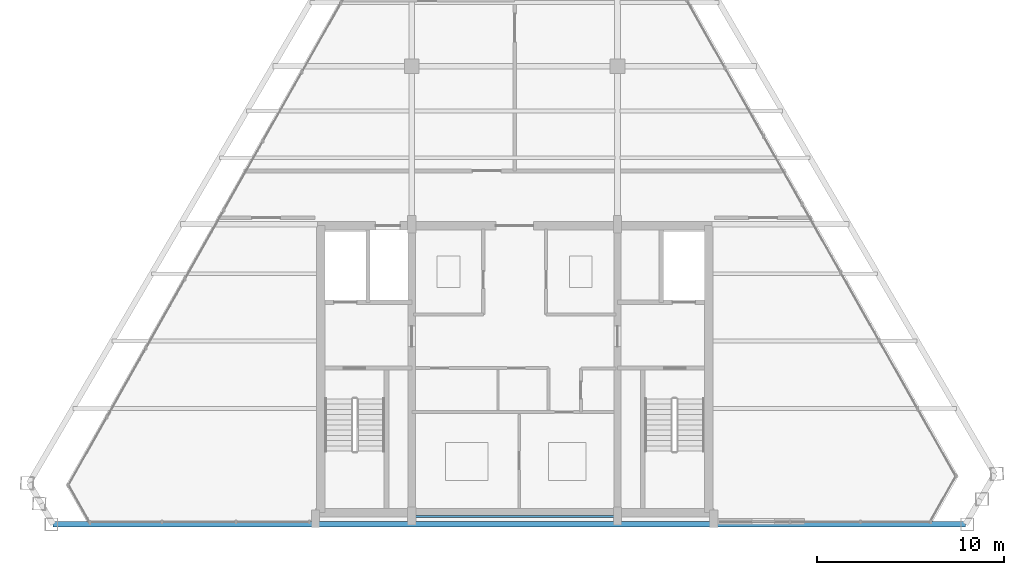
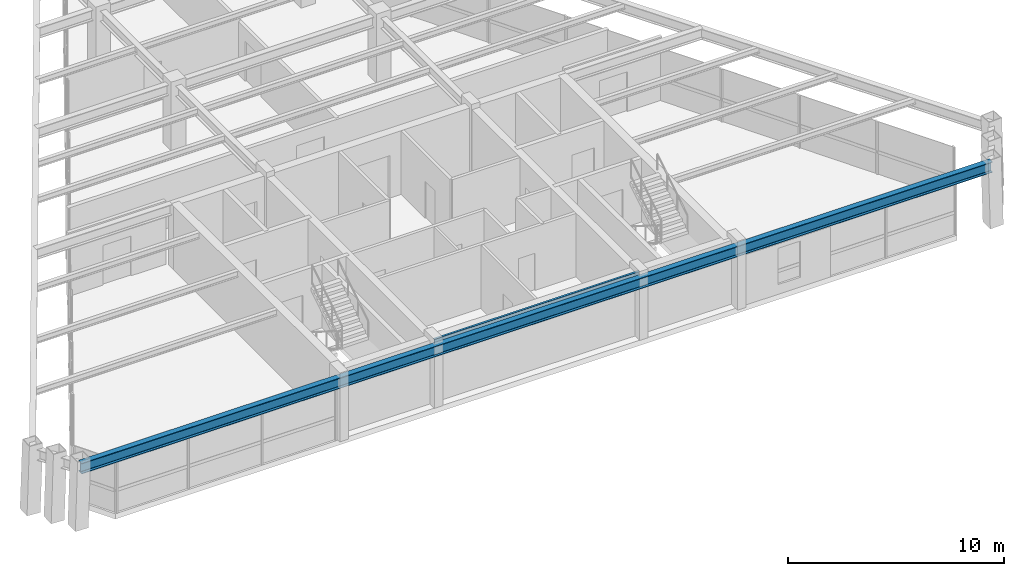
# One storey, part 3 of 12: 2 beams.
"""IFC4 building model written with IfcOpenShell, lengths in metres."""

from ifc_helpers import new_model, si_unit, direction, frame, origin, origin_2d, place, context, subcontext, project, spatial, i_section, extrude, source, transform, mapped, material, material_profile, profile_set, type_object, type_shapes, element, save


model = new_model("IFC4")

# Units and contexts
model_context = context("Model", 3, precision=1e-05, world=origin(), true_north=direction((0.0, 1.0)))
body_context = subcontext(model_context, "Body", "Model", "MODEL_VIEW")
ifc_project = project(units=[si_unit("LENGTHUNIT", "METRE"), si_unit("AREAUNIT", "SQUARE_METRE"), si_unit("VOLUMEUNIT", "CUBIC_METRE"), si_unit("PLANEANGLEUNIT", "RADIAN"), si_unit("MASSUNIT", "GRAM", prefix="KILO")], contexts=[model_context])

# Site, building, storey
site_placement = place(None, origin())
site = spatial("IfcSite", under=ifc_project, at=site_placement, CompositionType="ELEMENT")
building_placement = place(site_placement, origin())
building = spatial("IfcBuilding", under=site, at=building_placement, Name="Varnakhor Terracotta Tower", CompositionType="ELEMENT")
storey_placement = place(building_placement, frame((0.0, 0.0, 317.5)))
storey = spatial("IfcBuildingStorey", under=building, at=storey_placement, Name="L83 Crown", CompositionType="ELEMENT", Elevation=317.5)

# Beams
ifc_material = material(Name="Steel S355", Category="steel")
ifc_material_profile_1 = material_profile(ifc_material, i_section(OverallWidth=0.1201171875, OverallDepth=0.239990234375, WebThickness=0.006103515625, FlangeThickness=0.009765625, FilletRadius=0.01806640625, at=origin_2d()), Name="IPE240")
ifc_profile_set_1 = profile_set([ifc_material_profile_1], Name="Steel S355")
beam_type_1 = type_object("IfcBeamType", Name="LNT-IPE240", PredefinedType="LINTEL", material=ifc_profile_set_1)
shared_shape_1 = source(origin(), body_context, "Body", "SweptSolid", [
    extrude(i_section(OverallWidth=0.1201171875, OverallDepth=0.239990234375, WebThickness=0.006103515625, FlangeThickness=0.009765625, FilletRadius=0.01806640625, at=origin_2d()), origin(), (0.0, 0.0, 1.0), 11.0),
])
type_shapes(beam_type_1, [shared_shape_1])
beam_1_placement = place(storey_placement, frame((-5.5, 0.419921875, 3.47998046875), z_axis=(1.0, 0.0, 0.0), x_axis=(0.0, 1.0, 0.0)))
element("IfcBeam", 1, at=beam_1_placement, inside=storey, type_object=beam_type_1, Name="L83 Crown Core South Coupling Lintel", PredefinedType="LINTEL", context=body_context, shape_type="MappedRepresentation", body=[
    mapped(shared_shape_1, transform((0.0, 0.0, 0.0), scale=1.0)),
])
ifc_material_profile_2 = material_profile(ifc_material, i_section(OverallWidth=0.300048828125, OverallDepth=0.60009765625, WebThickness=0.015380859375, FlangeThickness=0.030029296875, FilletRadius=0.01806640625, at=origin_2d()), Name="HEB600")
ifc_profile_set_2 = profile_set([ifc_material_profile_2], Name="Steel S355")
beam_type_2 = type_object("IfcBeamType", Name="BM-HEB600", PredefinedType="BEAM", material=ifc_profile_set_2)
shared_shape_2 = source(origin(), body_context, "Body", "SweptSolid", [
    extrude(i_section(OverallWidth=0.300048828125, OverallDepth=0.60009765625, WebThickness=0.015380859375, FlangeThickness=0.030029296875, FilletRadius=0.01806640625, at=origin_2d()), origin(), (0.0, 0.0, 1.0), 48.784912109375),
])
beam_2_placement = place(storey_placement, frame((-24.6787109375, 0.0, 3.300048828125), z_axis=(1.0, 0.0, 0.0), x_axis=(0.0, 1.0, 0.0)))
element("IfcBeam", 2, at=beam_2_placement, inside=storey, type_object=beam_type_2, Name="L83 Crown Perimeter Spandrel 1", PredefinedType="BEAM", context=body_context, shape_type="MappedRepresentation", body=[
    mapped(shared_shape_2, transform((0.0, 0.0, 0.0), scale=1.0)),
])

save(model, "model.ifc")
